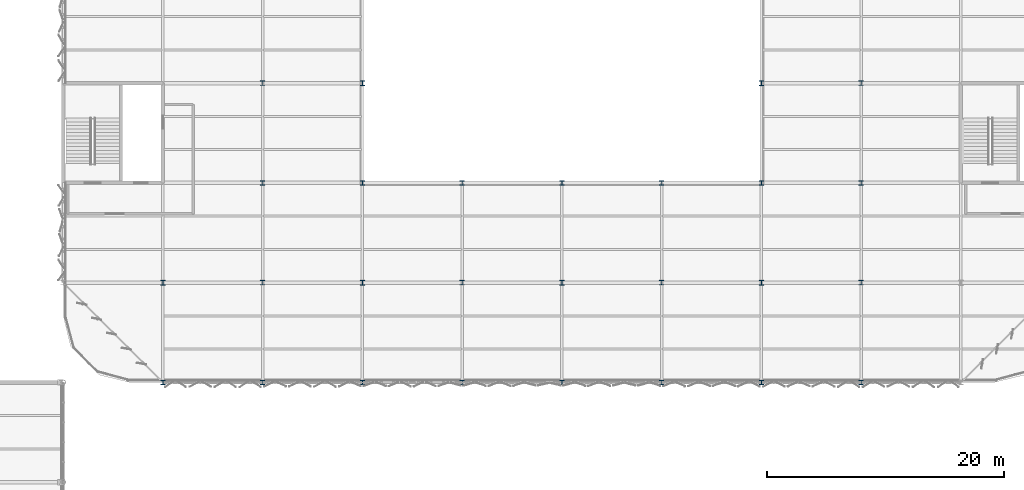
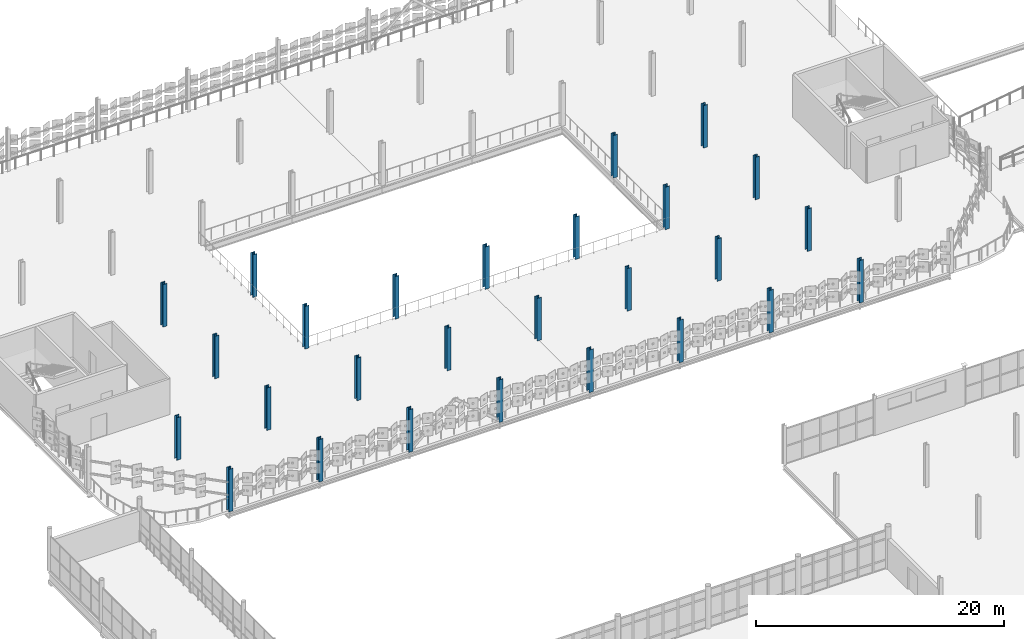
# One storey, part 14 of 163: 27 columns.
"""IFC4 building model written with IfcOpenShell, lengths in metres."""

from ifc_helpers import new_model, si_unit, direction, frame, origin, origin_2d, place, context, subcontext, project, spatial, i_section, extrude, material, material_profile, profile_set, type_object, element, save


model = new_model("IFC4")

# Units and contexts
model_context = context("Model", 3, precision=1e-05, world=origin(), true_north=direction((0.0, 1.0)))
body_context = subcontext(model_context, "Body", "Model", "MODEL_VIEW")
ifc_project = project(units=[si_unit("LENGTHUNIT", "METRE"), si_unit("AREAUNIT", "SQUARE_METRE"), si_unit("VOLUMEUNIT", "CUBIC_METRE"), si_unit("PLANEANGLEUNIT", "RADIAN"), si_unit("MASSUNIT", "GRAM", prefix="KILO")], contexts=[model_context])

# Site, building, storey
site_placement = place(None, origin())
site = spatial("IfcSite", under=ifc_project, at=site_placement, CompositionType="ELEMENT")
building_placement = place(site_placement, origin())
building = spatial("IfcBuilding", under=site, at=building_placement, Name="Qalvenar Corner Mobility Hub", CompositionType="ELEMENT")
storey_placement = place(building_placement, frame((0.0, 0.0, 4.800048828125)))
storey = spatial("IfcBuildingStorey", under=building, at=storey_placement, Name="L01", CompositionType="ELEMENT", Elevation=4.800048828125)

# Columns
ifc_material = material(Name="Steel S355", Category="steel")
ifc_material_profile_1 = material_profile(ifc_material, i_section(OverallWidth=0.376953125, OverallDepth=0.386962890625, WebThickness=0.0224609375, FlangeThickness=0.035888671875, FilletRadius=0.014892578125, at=origin_2d()), Name="HD360x262")
ifc_profile_set_1 = profile_set([ifc_material_profile_1], Name="Steel S355")
column_type_1 = type_object("IfcColumnType", Name="COL-HD360X262", PredefinedType="COLUMN", material=ifc_profile_set_1)
for number, where, z_axis, x_axis, name in (
    (1, (75.60009765625, 67.199951171875, 0.0), (0.0, 0.0, 1.0), (1.0, 0.0, 0.0), "Steel Column L01-G10-8"),
    (2, (75.60009765625, 75.60009765625, 0.0), (0.0, 0.0, 1.0), (1.0, 0.0, 0.0), "Steel Column L01-G10-9"),
    (3, (75.60009765625, 84.0, 0.0), (0.0, 0.0, 1.0), (1.0, 0.0, 0.0), "Steel Column L01-G10-10"),
    (4, (75.60009765625, 92.39990234375, 0.0), (0.0, 0.0, 1.0), (1.0, 0.0, 0.0), "Steel Column L01-G10-11"),
    (5, (92.39990234375, 67.199951171875, 0.0), (0.0, 0.0, 1.0), (1.0, 0.0, 0.0), "Steel Column L01-G12-8"),
    (6, (92.39990234375, 75.60009765625, 0.0), (0.0, 0.0, 1.0), (1.0, 0.0, 0.0), "Steel Column L01-G12-9"),
    (7, (92.39990234375, 84.0, 0.0), (0.0, 0.0, 1.0), (1.0, 0.0, 0.0), "Steel Column L01-G12-10"),
    (8, (109.199951171875, 67.199951171875, 0.0), (0.0, 0.0, 1.0), (1.0, 0.0, 0.0), "Steel Column L01-G14-8"),
    (9, (109.199951171875, 75.60009765625, 0.0), (0.0, 0.0, 1.0), (1.0, 0.0, 0.0), "Steel Column L01-G14-9"),
    (10, (109.199951171875, 84.0, 0.0), (0.0, 0.0, 1.0), (1.0, 0.0, 0.0), "Steel Column L01-G14-10"),
    (11, (126.0, 67.199951171875, 0.0), (0.0, 0.0, 1.0), (1.0, 0.0, 0.0), "Steel Column L01-G16-8"),
    (12, (126.0, 75.60009765625, 0.0), (0.0, 0.0, 1.0), (1.0, 0.0, 0.0), "Steel Column L01-G16-9"),
    (13, (126.0, 84.0, 0.0), (0.0, 0.0, 1.0), (1.0, 0.0, 0.0), "Steel Column L01-G16-10"),
    (14, (126.0, 92.39990234375, 0.0), (0.0, 0.0, 1.0), (1.0, 0.0, 0.0), "Steel Column L01-G16-11"),
):
    element("IfcColumn", number, at=place(storey_placement, frame(where, z_axis=z_axis, x_axis=x_axis)), inside=storey, type_object=column_type_1, Name=name, PredefinedType="COLUMN", context=body_context, shape_type="SweptSolid", body=[
        extrude(i_section(OverallWidth=0.376953125, OverallDepth=0.386962890625, WebThickness=0.0224609375, FlangeThickness=0.035888671875, FilletRadius=0.014892578125, at=origin_2d()), origin(), (0.0, 0.0, 1.0), 4.199951171875),
    ])
ifc_material_profile_2 = material_profile(ifc_material, i_section(OverallWidth=0.40087890625, OverallDepth=0.39892578125, WebThickness=0.02490234375, FlangeThickness=0.03955078125, FilletRadius=0.014892578125, at=origin_2d()), Name="HD400x314")
ifc_profile_set_2 = profile_set([ifc_material_profile_2], Name="Steel S355")
column_type_2 = type_object("IfcColumnType", Name="COL-HD400X314", PredefinedType="COLUMN", material=ifc_profile_set_2)
for number, where, z_axis, x_axis, name in (
    (15, (67.199951171875, 67.199951171875, 0.0), (0.0, 0.0, 1.0), (1.0, 0.0, 0.0), "Steel Column L01-G9-8"),
    (16, (67.199951171875, 75.60009765625, 0.0), (0.0, 0.0, 1.0), (1.0, 0.0, 0.0), "Steel Column L01-G9-9"),
    (17, (84.0, 67.199951171875, 0.0), (0.0, 0.0, 1.0), (1.0, 0.0, 0.0), "Steel Column L01-G11-8"),
    (18, (84.0, 75.60009765625, 0.0), (0.0, 0.0, 1.0), (1.0, 0.0, 0.0), "Steel Column L01-G11-9"),
    (19, (84.0, 84.0, 0.0), (0.0, 0.0, 1.0), (1.0, 0.0, 0.0), "Steel Column L01-G11-10"),
    (20, (84.0, 92.39990234375, 0.0), (0.0, 0.0, 1.0), (1.0, 0.0, 0.0), "Steel Column L01-G11-11"),
    (21, (100.800048828125, 67.199951171875, 0.0), (0.0, 0.0, 1.0), (1.0, 0.0, 0.0), "Steel Column L01-G13-8"),
    (22, (100.800048828125, 75.60009765625, 0.0), (0.0, 0.0, 1.0), (1.0, 0.0, 0.0), "Steel Column L01-G13-9"),
    (23, (100.800048828125, 84.0, 0.0), (0.0, 0.0, 1.0), (1.0, 0.0, 0.0), "Steel Column L01-G13-10"),
    (24, (117.60009765625, 67.199951171875, 0.0), (0.0, 0.0, 1.0), (1.0, 0.0, 0.0), "Steel Column L01-G15-8"),
    (25, (117.60009765625, 75.60009765625, 0.0), (0.0, 0.0, 1.0), (1.0, 0.0, 0.0), "Steel Column L01-G15-9"),
    (26, (117.60009765625, 84.0, 0.0), (0.0, 0.0, 1.0), (1.0, 0.0, 0.0), "Steel Column L01-G15-10"),
    (27, (117.60009765625, 92.39990234375, 0.0), (0.0, 0.0, 1.0), (1.0, 0.0, 0.0), "Steel Column L01-G15-11"),
):
    element("IfcColumn", number, at=place(storey_placement, frame(where, z_axis=z_axis, x_axis=x_axis)), inside=storey, type_object=column_type_2, Name=name, PredefinedType="COLUMN", context=body_context, shape_type="SweptSolid", body=[
        extrude(i_section(OverallWidth=0.40087890625, OverallDepth=0.39892578125, WebThickness=0.02490234375, FlangeThickness=0.03955078125, FilletRadius=0.014892578125, at=origin_2d()), origin(), (0.0, 0.0, 1.0), 4.199951171875),
    ])

save(model, "model.ifc")
